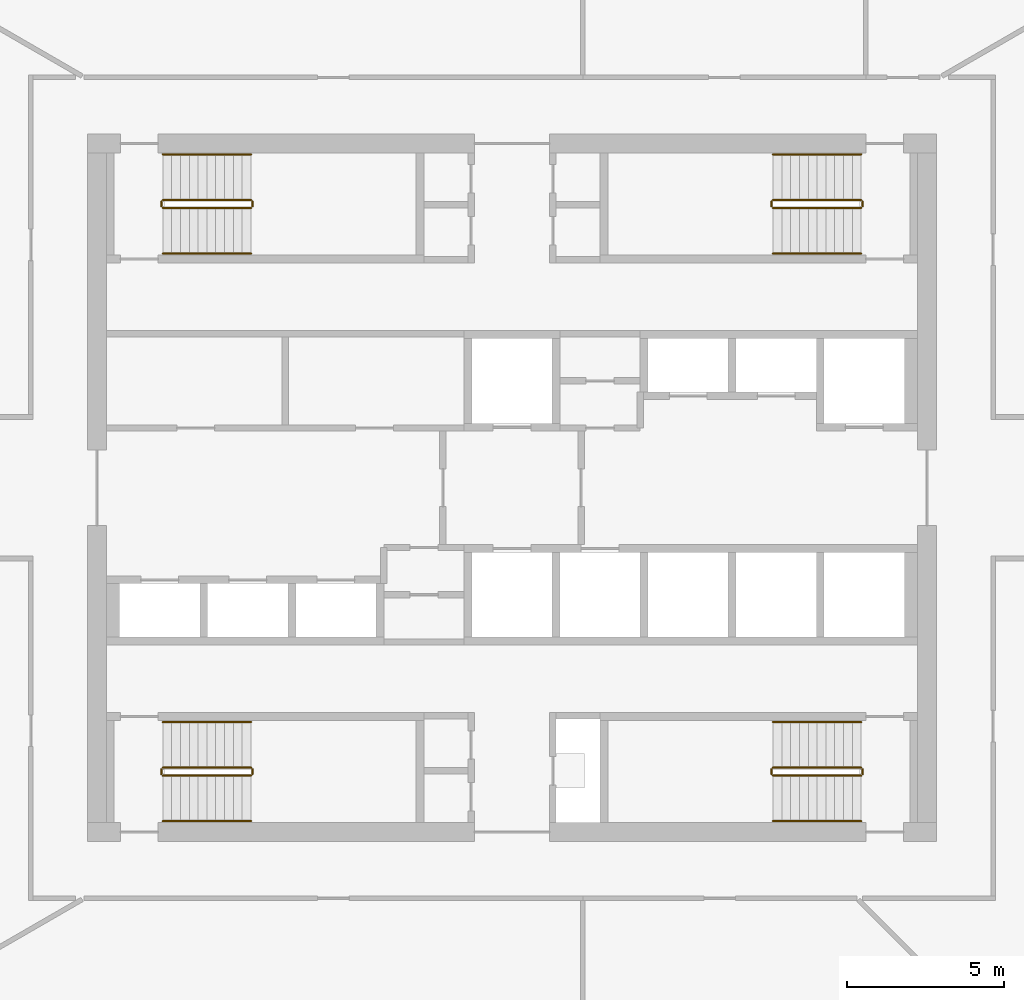
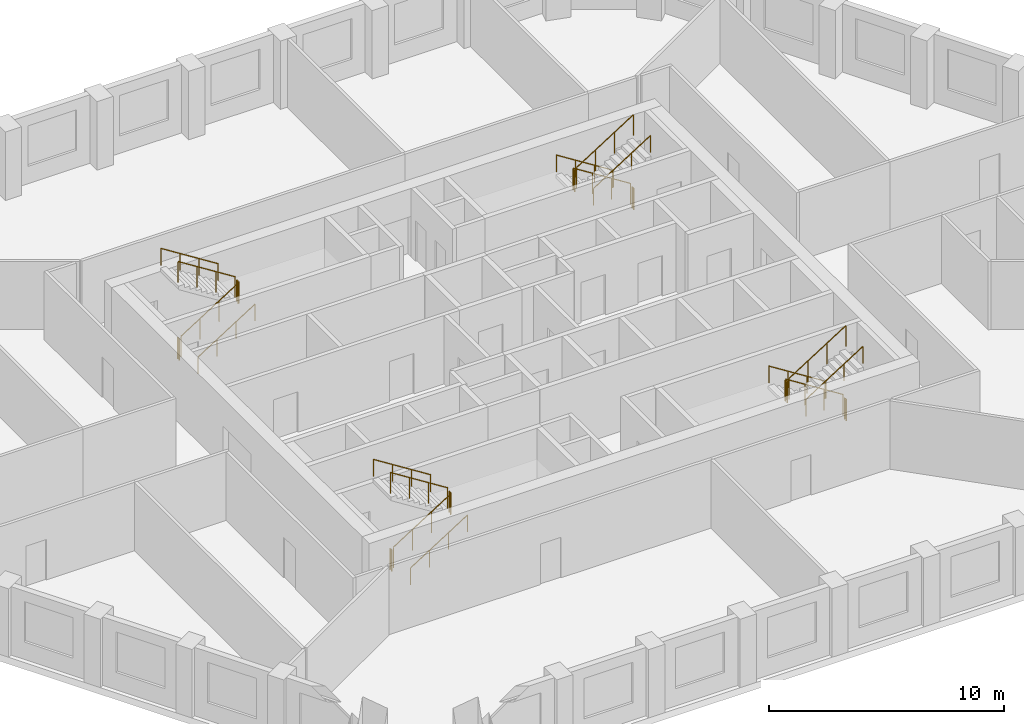
# One storey, part 8 of 8: 24 railings.
"""IFC4 building model written with IfcOpenShell, lengths in metres."""

from ifc_helpers import new_model, si_unit, direction, frame, origin, origin_2d, place, context, subcontext, project, spatial, circle, extrude, material, type_object, element, save


model = new_model("IFC4")

# Units and contexts
model_context = context("Model", 3, precision=1e-05, world=origin(), true_north=direction((0.0, 1.0)))
body_context = subcontext(model_context, "Body", "Model", "MODEL_VIEW")
ifc_project = project(units=[si_unit("LENGTHUNIT", "METRE"), si_unit("AREAUNIT", "SQUARE_METRE"), si_unit("VOLUMEUNIT", "CUBIC_METRE"), si_unit("PLANEANGLEUNIT", "RADIAN"), si_unit("MASSUNIT", "GRAM", prefix="KILO")], contexts=[model_context])

# Site, building, storey
site_placement = place(None, origin())
site = spatial("IfcSite", under=ifc_project, at=site_placement, CompositionType="ELEMENT")
building_placement = place(site_placement, origin())
building = spatial("IfcBuilding", under=site, at=building_placement, Name="Dhurran Vertical Campus", CompositionType="ELEMENT")
storey_placement = place(building_placement, frame((0.0, 0.0, 222.89990234375)))
storey = spatial("IfcBuildingStorey", under=building, at=storey_placement, Name="L55", CompositionType="ELEMENT", Elevation=222.89990234375)

# Railings
ifc_material_1 = material(Name="Stainless steel balustrade", Category="steel")
railing_type_1 = type_object("IfcRailingType", Name="co-RL-GUARD-1100", PredefinedType="GUARDRAIL", material=ifc_material_1)
railing_1_placement = place(storey_placement, frame((-11.10009765625, 8.89990234375, 0.177490234375)))
element("IfcRailing", 1, at=railing_1_placement, inside=storey, type_object=railing_type_1, Name="L55 ST1 stair guard 1", PredefinedType="GUARDRAIL", context=body_context, shape_type="SweptSolid", body=[
    extrude(circle(Radius=0.02392578125, at=origin_2d()), frame((0.0, 0.0, 1.076171875), z_axis=(0.844908973607, 0.0, 0.534910110503), x_axis=(0.0, 1.0, 0.0)), (0.0, 0.0, 1.0), 3.31396484375),
    extrude(circle(Radius=0.02099609375, at=origin_2d()), origin(), (0.0, 0.0, 1.0), 1.052001953125),
    extrude(circle(Radius=0.02099609375, at=origin_2d()), frame((0.933349609375, 0.0, 0.5908203125)), (0.0, 0.0, 1.0), 1.052001953125),
    extrude(circle(Radius=0.02099609375, at=origin_2d()), frame((1.86669921875, 0.0, 1.181884765625)), (0.0, 0.0, 1.0), 1.052001953125),
    extrude(circle(Radius=0.02099609375, at=origin_2d()), frame((2.800048828125, 0.0, 1.772705078125)), (0.0, 0.0, 1.0), 1.052001953125),
])
railing_2_placement = place(storey_placement, frame((-8.25, 8.949951171875, 1.9501953125)))
element("IfcRailing", 2, at=railing_2_placement, inside=storey, type_object=railing_type_1, Name="L55 ST1 stair guard 2", PredefinedType="GUARDRAIL", context=body_context, shape_type="SweptSolid", body=[
    extrude(circle(Radius=0.02392578125, at=origin_2d()), frame((0.0, 0.0, 1.076171875), z_axis=(0.0, 1.0, 0.0), x_axis=(-1.0, 0.0, 0.0)), (0.0, 0.0, 1.0), 0.150146484375),
    extrude(circle(Radius=0.02099609375, at=origin_2d()), origin(), (0.0, 0.0, 1.0), 1.052001953125),
    extrude(circle(Radius=0.02099609375, at=origin_2d()), frame((0.0, 0.150146484375, 0.0)), (0.0, 0.0, 1.0), 1.052001953125),
])
railing_3_placement = place(storey_placement, frame((-8.300048828125, 9.14990234375, 2.12744140625)))
element("IfcRailing", 3, at=railing_3_placement, inside=storey, type_object=railing_type_1, Name="L55 ST1 stair guard 3", PredefinedType="GUARDRAIL", context=body_context, shape_type="SweptSolid", body=[
    extrude(circle(Radius=0.02392578125, at=origin_2d()), frame((0.0, 0.0, 1.076171875), z_axis=(-0.844908973607, 0.0, 0.534910110503), x_axis=(0.0, -1.0, 0.0)), (0.0, 0.0, 1.0), 3.31396484375),
    extrude(circle(Radius=0.02099609375, at=origin_2d()), origin(), (0.0, 0.0, 1.0), 1.052001953125),
    extrude(circle(Radius=0.02099609375, at=origin_2d()), frame((-0.933349609375, 0.0, 0.5908203125)), (0.0, 0.0, 1.0), 1.052001953125),
    extrude(circle(Radius=0.02099609375, at=origin_2d()), frame((-1.86669921875, 0.0, 1.181884765625)), (0.0, 0.0, 1.0), 1.052001953125),
    extrude(circle(Radius=0.02099609375, at=origin_2d()), frame((-2.800048828125, 0.0, 1.772705078125)), (0.0, 0.0, 1.0), 1.052001953125),
])
railing_4_placement = place(storey_placement, frame((-11.14990234375, 8.949951171875, 0.0)))
element("IfcRailing", 4, at=railing_4_placement, inside=storey, type_object=railing_type_1, Name="L55 ST1 stair guard 4", PredefinedType="GUARDRAIL", context=body_context, shape_type="SweptSolid", body=[
    extrude(circle(Radius=0.02392578125, at=origin_2d()), frame((0.0, 0.0, 1.076171875), z_axis=(0.0, 1.0, 0.0), x_axis=(-1.0, 0.0, 0.0)), (0.0, 0.0, 1.0), 0.150146484375),
    extrude(circle(Radius=0.02099609375, at=origin_2d()), origin(), (0.0, 0.0, 1.0), 1.052001953125),
    extrude(circle(Radius=0.02099609375, at=origin_2d()), frame((0.0, 0.150146484375, 0.0)), (0.0, 0.0, 1.0), 1.052001953125),
])
railing_5_placement = place(storey_placement, frame((11.10009765625, 9.14990234375, 0.177490234375)))
element("IfcRailing", 5, at=railing_5_placement, inside=storey, type_object=railing_type_1, Name="L55 ST2 stair guard 1", PredefinedType="GUARDRAIL", context=body_context, shape_type="SweptSolid", body=[
    extrude(circle(Radius=0.02392578125, at=origin_2d()), frame((0.0, 0.0, 1.076171875), z_axis=(-0.844908973607, 0.0, 0.534910110503), x_axis=(0.0, -1.0, 0.0)), (0.0, 0.0, 1.0), 3.31396484375),
    extrude(circle(Radius=0.02099609375, at=origin_2d()), origin(), (0.0, 0.0, 1.0), 1.052001953125),
    extrude(circle(Radius=0.02099609375, at=origin_2d()), frame((-0.933349609375, 0.0, 0.5908203125)), (0.0, 0.0, 1.0), 1.052001953125),
    extrude(circle(Radius=0.02099609375, at=origin_2d()), frame((-1.86669921875, 0.0, 1.181884765625)), (0.0, 0.0, 1.0), 1.052001953125),
    extrude(circle(Radius=0.02099609375, at=origin_2d()), frame((-2.800048828125, 0.0, 1.772705078125)), (0.0, 0.0, 1.0), 1.052001953125),
])
railing_6_placement = place(storey_placement, frame((8.25, 9.10009765625, 1.9501953125)))
element("IfcRailing", 6, at=railing_6_placement, inside=storey, type_object=railing_type_1, Name="L55 ST2 stair guard 2", PredefinedType="GUARDRAIL", context=body_context, shape_type="SweptSolid", body=[
    extrude(circle(Radius=0.02392578125, at=origin_2d()), frame((0.0, 0.0, 1.076171875), z_axis=(0.0, -1.0, 0.0), x_axis=(1.0, 0.0, 0.0)), (0.0, 0.0, 1.0), 0.150146484375),
    extrude(circle(Radius=0.02099609375, at=origin_2d()), origin(), (0.0, 0.0, 1.0), 1.052001953125),
    extrude(circle(Radius=0.02099609375, at=origin_2d()), frame((0.0, -0.150146484375, 0.0)), (0.0, 0.0, 1.0), 1.052001953125),
])
railing_7_placement = place(storey_placement, frame((8.300048828125, 8.89990234375, 2.12744140625)))
element("IfcRailing", 7, at=railing_7_placement, inside=storey, type_object=railing_type_1, Name="L55 ST2 stair guard 3", PredefinedType="GUARDRAIL", context=body_context, shape_type="SweptSolid", body=[
    extrude(circle(Radius=0.02392578125, at=origin_2d()), frame((0.0, 0.0, 1.076171875), z_axis=(0.844908973607, 0.0, 0.534910110503), x_axis=(0.0, 1.0, 0.0)), (0.0, 0.0, 1.0), 3.31396484375),
    extrude(circle(Radius=0.02099609375, at=origin_2d()), origin(), (0.0, 0.0, 1.0), 1.052001953125),
    extrude(circle(Radius=0.02099609375, at=origin_2d()), frame((0.933349609375, 0.0, 0.5908203125)), (0.0, 0.0, 1.0), 1.052001953125),
    extrude(circle(Radius=0.02099609375, at=origin_2d()), frame((1.86669921875, 0.0, 1.181884765625)), (0.0, 0.0, 1.0), 1.052001953125),
    extrude(circle(Radius=0.02099609375, at=origin_2d()), frame((2.800048828125, 0.0, 1.772705078125)), (0.0, 0.0, 1.0), 1.052001953125),
])
railing_8_placement = place(storey_placement, frame((11.14990234375, 9.10009765625, 0.0)))
element("IfcRailing", 8, at=railing_8_placement, inside=storey, type_object=railing_type_1, Name="L55 ST2 stair guard 4", PredefinedType="GUARDRAIL", context=body_context, shape_type="SweptSolid", body=[
    extrude(circle(Radius=0.02392578125, at=origin_2d()), frame((0.0, 0.0, 1.076171875), z_axis=(0.0, -1.0, 0.0), x_axis=(1.0, 0.0, 0.0)), (0.0, 0.0, 1.0), 0.150146484375),
    extrude(circle(Radius=0.02099609375, at=origin_2d()), origin(), (0.0, 0.0, 1.0), 1.052001953125),
    extrude(circle(Radius=0.02099609375, at=origin_2d()), frame((0.0, -0.150146484375, 0.0)), (0.0, 0.0, 1.0), 1.052001953125),
])
railing_9_placement = place(storey_placement, frame((-11.10009765625, -9.14990234375, 0.177490234375)))
element("IfcRailing", 9, at=railing_9_placement, inside=storey, type_object=railing_type_1, Name="L55 ST3 stair guard 1", PredefinedType="GUARDRAIL", context=body_context, shape_type="SweptSolid", body=[
    extrude(circle(Radius=0.02392578125, at=origin_2d()), frame((0.0, 0.0, 1.076171875), z_axis=(0.844908973607, 0.0, 0.534910110503), x_axis=(0.0, 1.0, 0.0)), (0.0, 0.0, 1.0), 3.31396484375),
    extrude(circle(Radius=0.02099609375, at=origin_2d()), origin(), (0.0, 0.0, 1.0), 1.052001953125),
    extrude(circle(Radius=0.02099609375, at=origin_2d()), frame((0.933349609375, 0.0, 0.5908203125)), (0.0, 0.0, 1.0), 1.052001953125),
    extrude(circle(Radius=0.02099609375, at=origin_2d()), frame((1.86669921875, 0.0, 1.181884765625)), (0.0, 0.0, 1.0), 1.052001953125),
    extrude(circle(Radius=0.02099609375, at=origin_2d()), frame((2.800048828125, 0.0, 1.772705078125)), (0.0, 0.0, 1.0), 1.052001953125),
])
railing_10_placement = place(storey_placement, frame((-8.25, -9.10009765625, 1.9501953125)))
element("IfcRailing", 10, at=railing_10_placement, inside=storey, type_object=railing_type_1, Name="L55 ST3 stair guard 2", PredefinedType="GUARDRAIL", context=body_context, shape_type="SweptSolid", body=[
    extrude(circle(Radius=0.02392578125, at=origin_2d()), frame((0.0, 0.0, 1.076171875), z_axis=(0.0, 1.0, 0.0), x_axis=(-1.0, 0.0, 0.0)), (0.0, 0.0, 1.0), 0.150146484375),
    extrude(circle(Radius=0.02099609375, at=origin_2d()), origin(), (0.0, 0.0, 1.0), 1.052001953125),
    extrude(circle(Radius=0.02099609375, at=origin_2d()), frame((0.0, 0.150146484375, 0.0)), (0.0, 0.0, 1.0), 1.052001953125),
])
railing_11_placement = place(storey_placement, frame((-8.300048828125, -8.89990234375, 2.12744140625)))
element("IfcRailing", 11, at=railing_11_placement, inside=storey, type_object=railing_type_1, Name="L55 ST3 stair guard 3", PredefinedType="GUARDRAIL", context=body_context, shape_type="SweptSolid", body=[
    extrude(circle(Radius=0.02392578125, at=origin_2d()), frame((0.0, 0.0, 1.076171875), z_axis=(-0.844908973607, 0.0, 0.534910110503), x_axis=(0.0, -1.0, 0.0)), (0.0, 0.0, 1.0), 3.31396484375),
    extrude(circle(Radius=0.02099609375, at=origin_2d()), origin(), (0.0, 0.0, 1.0), 1.052001953125),
    extrude(circle(Radius=0.02099609375, at=origin_2d()), frame((-0.933349609375, 0.0, 0.5908203125)), (0.0, 0.0, 1.0), 1.052001953125),
    extrude(circle(Radius=0.02099609375, at=origin_2d()), frame((-1.86669921875, 0.0, 1.181884765625)), (0.0, 0.0, 1.0), 1.052001953125),
    extrude(circle(Radius=0.02099609375, at=origin_2d()), frame((-2.800048828125, 0.0, 1.772705078125)), (0.0, 0.0, 1.0), 1.052001953125),
])
railing_12_placement = place(storey_placement, frame((-11.14990234375, -9.10009765625, 0.0)))
element("IfcRailing", 12, at=railing_12_placement, inside=storey, type_object=railing_type_1, Name="L55 ST3 stair guard 4", PredefinedType="GUARDRAIL", context=body_context, shape_type="SweptSolid", body=[
    extrude(circle(Radius=0.02392578125, at=origin_2d()), frame((0.0, 0.0, 1.076171875), z_axis=(0.0, 1.0, 0.0), x_axis=(-1.0, 0.0, 0.0)), (0.0, 0.0, 1.0), 0.150146484375),
    extrude(circle(Radius=0.02099609375, at=origin_2d()), origin(), (0.0, 0.0, 1.0), 1.052001953125),
    extrude(circle(Radius=0.02099609375, at=origin_2d()), frame((0.0, 0.150146484375, 0.0)), (0.0, 0.0, 1.0), 1.052001953125),
])
railing_13_placement = place(storey_placement, frame((11.10009765625, -8.89990234375, 0.177490234375)))
element("IfcRailing", 13, at=railing_13_placement, inside=storey, type_object=railing_type_1, Name="L55 ST4 stair guard 1", PredefinedType="GUARDRAIL", context=body_context, shape_type="SweptSolid", body=[
    extrude(circle(Radius=0.02392578125, at=origin_2d()), frame((0.0, 0.0, 1.076171875), z_axis=(-0.844908973607, 0.0, 0.534910110503), x_axis=(0.0, -1.0, 0.0)), (0.0, 0.0, 1.0), 3.31396484375),
    extrude(circle(Radius=0.02099609375, at=origin_2d()), origin(), (0.0, 0.0, 1.0), 1.052001953125),
    extrude(circle(Radius=0.02099609375, at=origin_2d()), frame((-0.933349609375, 0.0, 0.5908203125)), (0.0, 0.0, 1.0), 1.052001953125),
    extrude(circle(Radius=0.02099609375, at=origin_2d()), frame((-1.86669921875, 0.0, 1.181884765625)), (0.0, 0.0, 1.0), 1.052001953125),
    extrude(circle(Radius=0.02099609375, at=origin_2d()), frame((-2.800048828125, 0.0, 1.772705078125)), (0.0, 0.0, 1.0), 1.052001953125),
])
railing_14_placement = place(storey_placement, frame((8.25, -8.949951171875, 1.9501953125)))
element("IfcRailing", 14, at=railing_14_placement, inside=storey, type_object=railing_type_1, Name="L55 ST4 stair guard 2", PredefinedType="GUARDRAIL", context=body_context, shape_type="SweptSolid", body=[
    extrude(circle(Radius=0.02392578125, at=origin_2d()), frame((0.0, 0.0, 1.076171875), z_axis=(0.0, -1.0, 0.0), x_axis=(1.0, 0.0, 0.0)), (0.0, 0.0, 1.0), 0.150146484375),
    extrude(circle(Radius=0.02099609375, at=origin_2d()), origin(), (0.0, 0.0, 1.0), 1.052001953125),
    extrude(circle(Radius=0.02099609375, at=origin_2d()), frame((0.0, -0.150146484375, 0.0)), (0.0, 0.0, 1.0), 1.052001953125),
])
railing_15_placement = place(storey_placement, frame((8.300048828125, -9.14990234375, 2.12744140625)))
element("IfcRailing", 15, at=railing_15_placement, inside=storey, type_object=railing_type_1, Name="L55 ST4 stair guard 3", PredefinedType="GUARDRAIL", context=body_context, shape_type="SweptSolid", body=[
    extrude(circle(Radius=0.02392578125, at=origin_2d()), frame((0.0, 0.0, 1.076171875), z_axis=(0.844908973607, 0.0, 0.534910110503), x_axis=(0.0, 1.0, 0.0)), (0.0, 0.0, 1.0), 3.31396484375),
    extrude(circle(Radius=0.02099609375, at=origin_2d()), origin(), (0.0, 0.0, 1.0), 1.052001953125),
    extrude(circle(Radius=0.02099609375, at=origin_2d()), frame((0.933349609375, 0.0, 0.5908203125)), (0.0, 0.0, 1.0), 1.052001953125),
    extrude(circle(Radius=0.02099609375, at=origin_2d()), frame((1.86669921875, 0.0, 1.181884765625)), (0.0, 0.0, 1.0), 1.052001953125),
    extrude(circle(Radius=0.02099609375, at=origin_2d()), frame((2.800048828125, 0.0, 1.772705078125)), (0.0, 0.0, 1.0), 1.052001953125),
])
railing_16_placement = place(storey_placement, frame((11.14990234375, -8.949951171875, 0.0)))
element("IfcRailing", 16, at=railing_16_placement, inside=storey, type_object=railing_type_1, Name="L55 ST4 stair guard 4", PredefinedType="GUARDRAIL", context=body_context, shape_type="SweptSolid", body=[
    extrude(circle(Radius=0.02392578125, at=origin_2d()), frame((0.0, 0.0, 1.076171875), z_axis=(0.0, -1.0, 0.0), x_axis=(1.0, 0.0, 0.0)), (0.0, 0.0, 1.0), 0.150146484375),
    extrude(circle(Radius=0.02099609375, at=origin_2d()), origin(), (0.0, 0.0, 1.0), 1.052001953125),
    extrude(circle(Radius=0.02099609375, at=origin_2d()), frame((0.0, -0.150146484375, 0.0)), (0.0, 0.0, 1.0), 1.052001953125),
])
ifc_material_2 = material(Name="Stainless steel handrail", Category="steel")
railing_type_2 = type_object("IfcRailingType", Name="co-RL-HANDRAIL-900", PredefinedType="HANDRAIL", material=ifc_material_2)
railing_17_placement = place(storey_placement, frame((-11.10009765625, 7.449951171875, 0.177490234375)))
element("IfcRailing", 17, at=railing_17_placement, inside=storey, type_object=railing_type_2, Name="L55 ST1 stair handrail 1", PredefinedType="HANDRAIL", context=body_context, shape_type="SweptSolid", body=[
    extrude(circle(Radius=0.02392578125, at=origin_2d()), frame((0.0, 0.0, 0.8759765625), z_axis=(0.844908973607, 0.0, 0.534910110503), x_axis=(0.0, 1.0, 0.0)), (0.0, 0.0, 1.0), 3.31396484375),
    extrude(circle(Radius=0.02099609375, at=origin_2d()), origin(), (0.0, 0.0, 1.0), 0.851806640625),
    extrude(circle(Radius=0.02099609375, at=origin_2d()), frame((0.933349609375, 0.0, 0.5908203125)), (0.0, 0.0, 1.0), 0.851806640625),
    extrude(circle(Radius=0.02099609375, at=origin_2d()), frame((1.86669921875, 0.0, 1.181884765625)), (0.0, 0.0, 1.0), 0.851806640625),
    extrude(circle(Radius=0.02099609375, at=origin_2d()), frame((2.800048828125, 0.0, 1.772705078125)), (0.0, 0.0, 1.0), 0.851806640625),
])
for number, where, name in (
    (18, (-8.300048828125, 10.60009765625, 2.12744140625), "L55 ST1 stair handrail 2"),
    (19, (11.10009765625, 10.60009765625, 0.177490234375), "L55 ST2 stair handrail 1"),
):
    element("IfcRailing", number, at=place(storey_placement, frame(where)), inside=storey, type_object=railing_type_2, Name=name, PredefinedType="HANDRAIL", context=body_context, shape_type="SweptSolid", body=[
        extrude(circle(Radius=0.02392578125, at=origin_2d()), frame((0.0, 0.0, 0.8759765625), z_axis=(-0.844908973607, 0.0, 0.534910110503), x_axis=(0.0, -1.0, 0.0)), (0.0, 0.0, 1.0), 3.31396484375),
        extrude(circle(Radius=0.02099609375, at=origin_2d()), origin(), (0.0, 0.0, 1.0), 0.851806640625),
        extrude(circle(Radius=0.02099609375, at=origin_2d()), frame((-0.933349609375, 0.0, 0.5908203125)), (0.0, 0.0, 1.0), 0.851806640625),
        extrude(circle(Radius=0.02099609375, at=origin_2d()), frame((-1.86669921875, 0.0, 1.181884765625)), (0.0, 0.0, 1.0), 0.851806640625),
        extrude(circle(Radius=0.02099609375, at=origin_2d()), frame((-2.800048828125, 0.0, 1.772705078125)), (0.0, 0.0, 1.0), 0.851806640625),
    ])
for number, where, name in (
    (20, (8.300048828125, 7.449951171875, 2.12744140625), "L55 ST2 stair handrail 2"),
    (21, (-11.10009765625, -10.60009765625, 0.177490234375), "L55 ST3 stair handrail 1"),
):
    element("IfcRailing", number, at=place(storey_placement, frame(where)), inside=storey, type_object=railing_type_2, Name=name, PredefinedType="HANDRAIL", context=body_context, shape_type="SweptSolid", body=[
        extrude(circle(Radius=0.02392578125, at=origin_2d()), frame((0.0, 0.0, 0.8759765625), z_axis=(0.844908973607, 0.0, 0.534910110503), x_axis=(0.0, 1.0, 0.0)), (0.0, 0.0, 1.0), 3.31396484375),
        extrude(circle(Radius=0.02099609375, at=origin_2d()), origin(), (0.0, 0.0, 1.0), 0.851806640625),
        extrude(circle(Radius=0.02099609375, at=origin_2d()), frame((0.933349609375, 0.0, 0.5908203125)), (0.0, 0.0, 1.0), 0.851806640625),
        extrude(circle(Radius=0.02099609375, at=origin_2d()), frame((1.86669921875, 0.0, 1.181884765625)), (0.0, 0.0, 1.0), 0.851806640625),
        extrude(circle(Radius=0.02099609375, at=origin_2d()), frame((2.800048828125, 0.0, 1.772705078125)), (0.0, 0.0, 1.0), 0.851806640625),
    ])
for number, where, name in (
    (22, (-8.300048828125, -7.449951171875, 2.12744140625), "L55 ST3 stair handrail 2"),
    (23, (11.10009765625, -7.449951171875, 0.177490234375), "L55 ST4 stair handrail 1"),
):
    element("IfcRailing", number, at=place(storey_placement, frame(where)), inside=storey, type_object=railing_type_2, Name=name, PredefinedType="HANDRAIL", context=body_context, shape_type="SweptSolid", body=[
        extrude(circle(Radius=0.02392578125, at=origin_2d()), frame((0.0, 0.0, 0.8759765625), z_axis=(-0.844908973607, 0.0, 0.534910110503), x_axis=(0.0, -1.0, 0.0)), (0.0, 0.0, 1.0), 3.31396484375),
        extrude(circle(Radius=0.02099609375, at=origin_2d()), origin(), (0.0, 0.0, 1.0), 0.851806640625),
        extrude(circle(Radius=0.02099609375, at=origin_2d()), frame((-0.933349609375, 0.0, 0.5908203125)), (0.0, 0.0, 1.0), 0.851806640625),
        extrude(circle(Radius=0.02099609375, at=origin_2d()), frame((-1.86669921875, 0.0, 1.181884765625)), (0.0, 0.0, 1.0), 0.851806640625),
        extrude(circle(Radius=0.02099609375, at=origin_2d()), frame((-2.800048828125, 0.0, 1.772705078125)), (0.0, 0.0, 1.0), 0.851806640625),
    ])
railing_18_placement = place(storey_placement, frame((8.300048828125, -10.60009765625, 2.12744140625)))
element("IfcRailing", 24, at=railing_18_placement, inside=storey, type_object=railing_type_2, Name="L55 ST4 stair handrail 2", PredefinedType="HANDRAIL", context=body_context, shape_type="SweptSolid", body=[
    extrude(circle(Radius=0.02392578125, at=origin_2d()), frame((0.0, 0.0, 0.8759765625), z_axis=(0.844908973607, 0.0, 0.534910110503), x_axis=(0.0, 1.0, 0.0)), (0.0, 0.0, 1.0), 3.31396484375),
    extrude(circle(Radius=0.02099609375, at=origin_2d()), origin(), (0.0, 0.0, 1.0), 0.851806640625),
    extrude(circle(Radius=0.02099609375, at=origin_2d()), frame((0.933349609375, 0.0, 0.5908203125)), (0.0, 0.0, 1.0), 0.851806640625),
    extrude(circle(Radius=0.02099609375, at=origin_2d()), frame((1.86669921875, 0.0, 1.181884765625)), (0.0, 0.0, 1.0), 0.851806640625),
    extrude(circle(Radius=0.02099609375, at=origin_2d()), frame((2.800048828125, 0.0, 1.772705078125)), (0.0, 0.0, 1.0), 0.851806640625),
])

save(model, "model.ifc")
